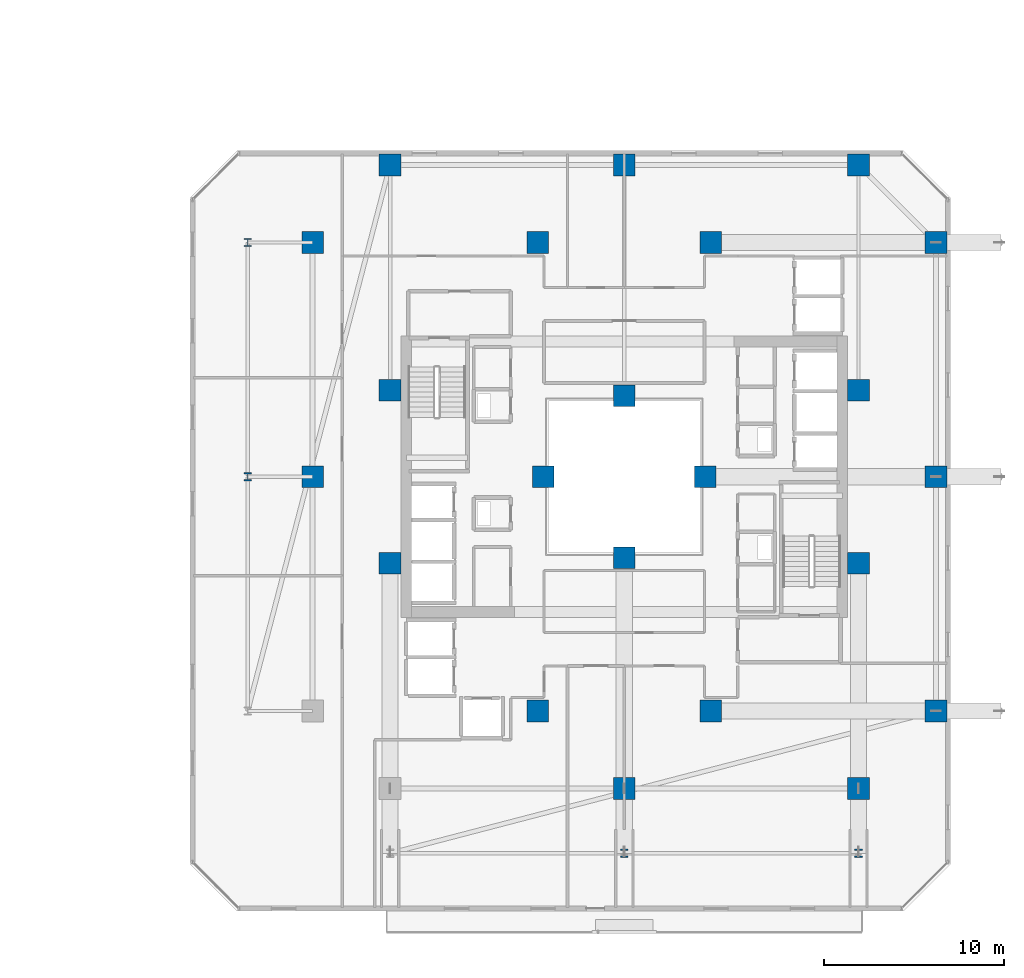
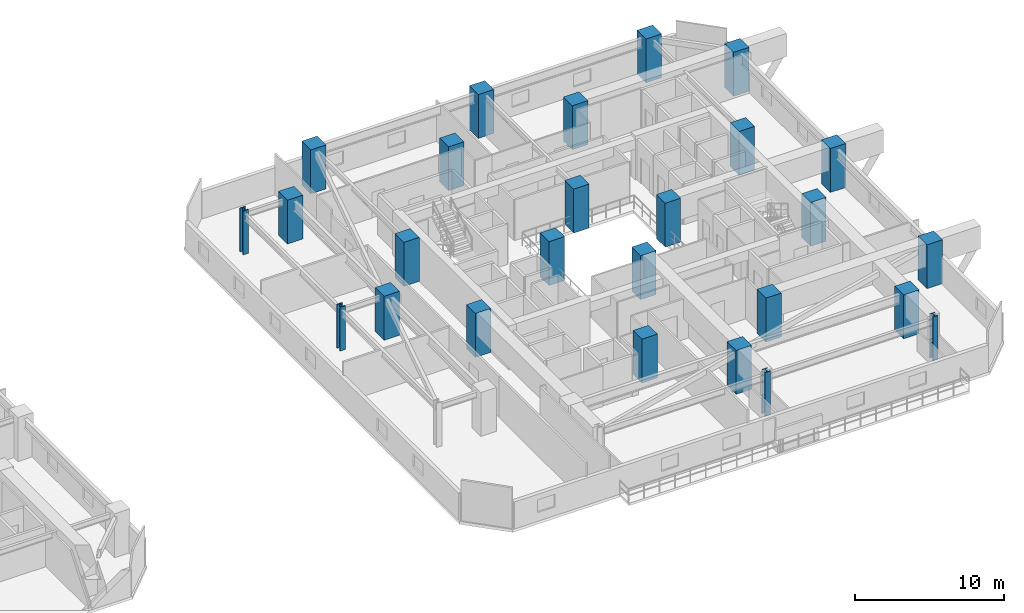
# One storey, part 2 of 36: 26 columns.
"""IFC4 building model written with IfcOpenShell, lengths in metres."""

from ifc_helpers import new_model, si_unit, direction, frame, origin, origin_2d, place, context, subcontext, project, spatial, rectangle, i_section, extrude, material, material_profile, profile_set, type_object, element, save


model = new_model("IFC4")

# Units and contexts
model_context = context("Model", 3, precision=1e-05, world=origin(), true_north=direction((0.0, 1.0)))
body_context = subcontext(model_context, "Body", "Model", "MODEL_VIEW")
ifc_project = project(units=[si_unit("LENGTHUNIT", "METRE"), si_unit("AREAUNIT", "SQUARE_METRE"), si_unit("VOLUMEUNIT", "CUBIC_METRE"), si_unit("PLANEANGLEUNIT", "RADIAN"), si_unit("MASSUNIT", "GRAM", prefix="KILO")], contexts=[model_context])

# Site, building, storey
site_placement = place(None, origin())
site = spatial("IfcSite", under=ifc_project, at=site_placement, CompositionType="ELEMENT")
building_placement = place(site_placement, origin())
building = spatial("IfcBuilding", under=site, at=building_placement, Name="Thornwick Lancets Civic Towers", CompositionType="ELEMENT")
storey_placement = place(building_placement, frame((0.0, 0.0, 116.10009765625)))
storey = spatial("IfcBuildingStorey", under=building, at=storey_placement, Name="L30", CompositionType="ELEMENT", Elevation=116.10009765625)

# Columns
ifc_material_1 = material(Name="Concrete C60/75", Category="concrete")
ifc_material_profile_1 = material_profile(ifc_material_1, rectangle(XDim=1.199951171875, YDim=1.199951171875, at=origin_2d()), Name="RC 1200x1200")
ifc_profile_set_1 = profile_set([ifc_material_profile_1], Name="Concrete C60/75")
column_type_1 = type_object("IfcColumnType", Name="COL_RC_1200", PredefinedType="COLUMN", material=ifc_profile_set_1)
for number, where, z_axis, x_axis, name in (
    (1, (105.800048828125, 14.0, 0.0), (0.0, 0.0, 1.0), (1.0, 0.0, 0.0), "L30 Spine Mega-Column B01"),
    (2, (105.800048828125, 27.0, 0.0), (0.0, 0.0, 1.0), (1.0, 0.0, 0.0), "L30 Spine Mega-Column B02"),
    (3, (105.800048828125, 40.0, 0.0), (0.0, 0.0, 1.0), (1.0, 0.0, 0.0), "L30 Spine Mega-Column B03"),
    (4, (101.5, 44.300048828125, 0.0), (0.0, 0.0, 1.0), (1.0, 0.0, 0.0), "L30 Spine Mega-Column B04"),
    (5, (88.5, 44.300048828125, 0.0), (0.0, 0.0, 1.0), (1.0, 0.0, 0.0), "L30 Spine Mega-Column B05"),
    (6, (75.5, 44.300048828125, 0.0), (0.0, 0.0, 1.0), (1.0, 0.0, 0.0), "L30 Spine Mega-Column B06"),
    (7, (71.199951171875, 27.0, 0.0), (0.0, 0.0, 1.0), (1.0, 0.0, 0.0), "L30 Spine Mega-Column B08"),
    (8, (71.199951171875, 40.0, 0.0), (0.0, 0.0, 1.0), (1.0, 0.0, 0.0), "L30 Spine Mega-Column B09"),
    (9, (101.5, 9.699951171875, 0.0), (0.0, 0.0, 1.0), (1.0, 0.0, 0.0), "L30 Spine Mega-Column B10"),
    (10, (88.5, 9.699951171875, 0.0), (0.0, 0.0, 1.0), (1.0, 0.0, 0.0), "L30 Spine Mega-Column B11"),
    (11, (93.300048828125, 14.0, 0.0), (0.0, 0.0, 1.0), (1.0, 0.0, 0.0), "L30 Spine Mega-Column B13"),
    (12, (93.300048828125, 40.0, 0.0), (0.0, 0.0, 1.0), (1.0, 0.0, 0.0), "L30 Spine Mega-Column B14"),
    (13, (83.699951171875, 14.0, 0.0), (0.0, 0.0, 1.0), (1.0, 0.0, 0.0), "L30 Spine Mega-Column B15"),
    (14, (83.699951171875, 40.0, 0.0), (0.0, 0.0, 1.0), (1.0, 0.0, 0.0), "L30 Spine Mega-Column B16"),
    (15, (101.5, 22.199951171875, 0.0), (0.0, 0.0, 1.0), (1.0, 0.0, 0.0), "L30 Spine Mega-Column B17"),
    (16, (101.5, 31.800048828125, 0.0), (0.0, 0.0, 1.0), (1.0, 0.0, 0.0), "L30 Spine Mega-Column B18"),
    (17, (75.5, 22.199951171875, 0.0), (0.0, 0.0, 1.0), (1.0, 0.0, 0.0), "L30 Spine Mega-Column B19"),
    (18, (75.5, 31.800048828125, 0.0), (0.0, 0.0, 1.0), (1.0, 0.0, 0.0), "L30 Spine Mega-Column B20"),
    (19, (93.0, 27.0, 0.0), (0.0, 0.0, 1.0), (1.0, 0.0, 0.0), "L30 Spine Mega-Column B21"),
    (20, (84.0, 27.0, 0.0), (0.0, 0.0, 1.0), (1.0, 0.0, 0.0), "L30 Spine Mega-Column B22"),
    (21, (88.5, 22.5, 0.0), (0.0, 0.0, 1.0), (1.0, 0.0, 0.0), "L30 Spine Mega-Column B23"),
    (22, (88.5, 31.5, 0.0), (0.0, 0.0, 1.0), (1.0, 0.0, 0.0), "L30 Spine Mega-Column B24"),
):
    element("IfcColumn", number, at=place(storey_placement, frame(where, z_axis=z_axis, x_axis=x_axis)), inside=storey, type_object=column_type_1, Name=name, PredefinedType="COLUMN", context=body_context, shape_type="SweptSolid", body=[
        extrude(rectangle(XDim=1.199951171875, YDim=1.199951171875, at=origin_2d()), origin(), (0.0, 0.0, 1.0), 3.599853515625),
    ])
ifc_material_2 = material(Name="Steel S460M", Category="steel")
ifc_material_profile_2 = material_profile(ifc_material_2, i_section(OverallWidth=0.41845703125, OverallDepth=0.45556640625, WebThickness=0.0419921875, FlangeThickness=0.0673828125, FilletRadius=0.01513671875, at=origin_2d()), Name="UKC 356x406x551")
ifc_profile_set_2 = profile_set([ifc_material_profile_2], Name="Steel S460M")
column_type_2 = type_object("IfcColumnType", Name="COL_UKC_551", PredefinedType="COLUMN", material=ifc_profile_set_2)
for number, where, z_axis, x_axis, name in (
    (23, (67.60009765625, 27.0, 0.0), (0.0, 0.0, 1.0), (1.0, 0.0, 0.0), "L30 Block Perimeter Column B08"),
    (24, (67.60009765625, 40.0, 0.0), (0.0, 0.0, 1.0), (1.0, 0.0, 0.0), "L30 Block Perimeter Column B09"),
    (25, (101.5, 6.10009765625, 0.0), (0.0, 0.0, 1.0), (1.0, 0.0, 0.0), "L30 Block Perimeter Column B10"),
    (26, (88.5, 6.10009765625, 0.0), (0.0, 0.0, 1.0), (1.0, 0.0, 0.0), "L30 Block Perimeter Column B11"),
):
    element("IfcColumn", number, at=place(storey_placement, frame(where, z_axis=z_axis, x_axis=x_axis)), inside=storey, type_object=column_type_2, Name=name, PredefinedType="COLUMN", context=body_context, shape_type="SweptSolid", body=[
        extrude(i_section(OverallWidth=0.41845703125, OverallDepth=0.45556640625, WebThickness=0.0419921875, FlangeThickness=0.0673828125, FilletRadius=0.01513671875, at=origin_2d()), origin(), (0.0, 0.0, 1.0), 3.599853515625),
    ])

save(model, "model.ifc")
